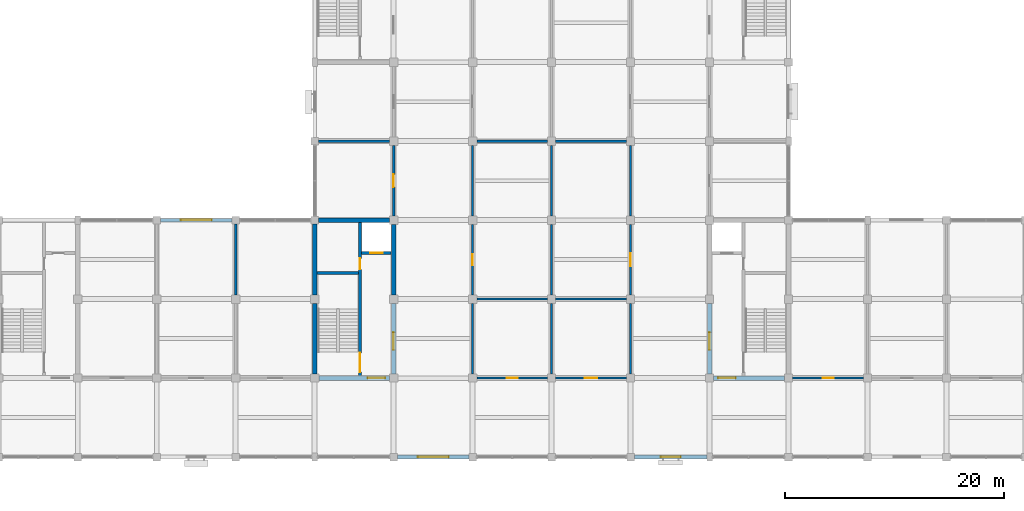
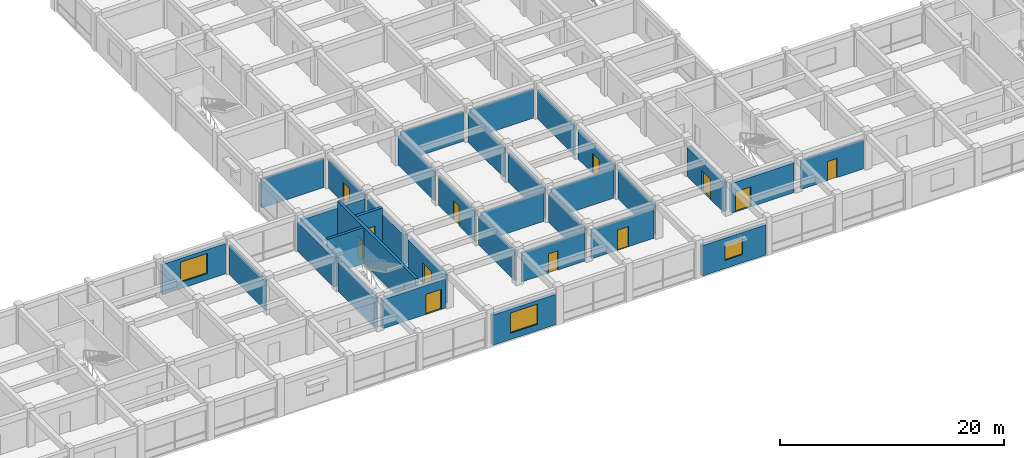
# One storey, part 20 of 31: 33 walls, 13 doors, 3 windows, 16 openings.
"""IFC4 building model written with IfcOpenShell, lengths in metres."""

from ifc_helpers import new_model, si_unit, direction, frame, frame_2d, origin, place, context, subcontext, project, spatial, rectangle, extrude, material, layer, layer_set, type_object, element, fill, save


model = new_model("IFC4")

# Units and contexts
model_context = context("Model", 3, precision=1e-05, world=origin(), true_north=direction((0.0, 1.0)))
body_context = subcontext(model_context, "Body", "Model", "MODEL_VIEW")
ifc_project = project(units=[si_unit("LENGTHUNIT", "METRE"), si_unit("AREAUNIT", "SQUARE_METRE"), si_unit("VOLUMEUNIT", "CUBIC_METRE"), si_unit("PLANEANGLEUNIT", "RADIAN"), si_unit("MASSUNIT", "GRAM", prefix="KILO")], contexts=[model_context])

# Site, building, storey
site_placement = place(None, origin())
site = spatial("IfcSite", under=ifc_project, at=site_placement, CompositionType="ELEMENT")
building_placement = place(site_placement, origin())
building = spatial("IfcBuilding", under=site, at=building_placement, Name="Cendaluz Park School", CompositionType="ELEMENT")
storey_placement = place(building_placement, frame((0.0, 0.0, 14.39990234375)))
storey = spatial("IfcBuildingStorey", under=building, at=storey_placement, Name="L03", CompositionType="ELEMENT", Elevation=14.39990234375)

# Wall
ifc_material_1 = material(Name="Gypsum Plasterboard on Cold-Formed Stud", Category="gypsum")
ifc_layer_1 = layer(ifc_material_1, 0.199951171875)
ifc_layer_set_1 = layer_set([ifc_layer_1], Name="Gypsum Plasterboard on Cold-Formed Stud")
wall_type_1 = type_object("IfcWallType", Name="W-AC20", PredefinedType="PARTITIONING", material=ifc_layer_set_1)
wall_1_placement = place(storey_placement, frame((57.60009765625, 21.97509765625, 0.0), z_axis=(0.0, 0.0, 1.0), x_axis=(0.0, 1.0, 0.0)))
element("IfcWall", 1, at=wall_1_placement, inside=storey, type_object=wall_type_1, Name="WL-FD-BM8", PredefinedType="PARTITIONING", context=body_context, shape_type="SweptSolid", body=[
    extrude(rectangle(XDim=6.474853515625, YDim=0.199951171875, at=frame_2d((3.2373046875, 0.0))), origin(), (0.0, 0.0, 1.0), 3.170166015625),
])

# Wall, opening, door
wall_2_placement = place(storey_placement, frame((108.375, 14.39990234375, 0.0), z_axis=(0.0, 0.0, 1.0), x_axis=(1.0, 0.0, 0.0)))
wall_2 = element("IfcWall", 2, at=wall_2_placement, inside=storey, type_object=wall_type_1, Name="WL-FD-BN0", PredefinedType="PARTITIONING", context=body_context, shape_type="SweptSolid", body=[
    extrude(rectangle(XDim=6.449951171875, YDim=0.199951171875, at=frame_2d((3.22509765625, 0.0))), origin(), (0.0, 0.0, 1.0), 3.170166015625),
])
opening_1_placement = place(wall_2_placement, frame((2.72509765625, 0.0, 0.0)))
opening_1 = element("IfcOpeningElement", 3, at=opening_1_placement, cuts=wall_2, Name="Opening DCL-01", PredefinedType="OPENING", context=body_context, shape_type="SweptSolid", body=[
    extrude(rectangle(XDim=1.0, YDim=2.10009765625, at=frame_2d((0.5, 1.050048828125))), frame((0.0, 0.112060546875, 0.0), z_axis=(0.0, -1.0, 0.0), x_axis=(1.0, 0.0, 0.0)), (0.0, 0.0, 1.0), 0.223876953125),
])
ifc_material_2 = material(Name="Solid Core Hardwood", Category="wood")
door_type_1 = type_object("IfcDoorType", Name="DCL-01", OperationType="NOTDEFINED", PredefinedType="DOOR", material=ifc_material_2)
door_1_placement = place(opening_1_placement, origin())
door_1 = element("IfcDoor", 4, at=door_1_placement, inside=storey, type_object=door_type_1, Name="D-L03-035", OperationType="SINGLE_SWING_LEFT", OverallHeight=2.10009765625, OverallWidth=1.0, PredefinedType="DOOR", context=body_context, shape_type="SweptSolid", body=[
    extrude(rectangle(XDim=1.0, YDim=2.10009765625, at=frame_2d((0.5, 1.050048828125))), frame((0.0, 0.02490234375, 0.0), z_axis=(0.0, -1.0, 0.0), x_axis=(1.0, 0.0, 0.0)), (0.0, 0.0, 1.0), 0.050048828125),
])
fill(opening_1, door_1)

# Wall
wall_3_placement = place(storey_placement, frame((65.14990234375, 36.0, 0.0), z_axis=(0.0, 0.0, 1.0), x_axis=(1.0, 0.0, 0.0)))
element("IfcWall", 5, at=wall_3_placement, inside=storey, type_object=wall_type_1, Name="WL-FD-BO4", PredefinedType="PARTITIONING", context=body_context, shape_type="SweptSolid", body=[
    extrude(rectangle(XDim=6.47509765625, YDim=0.199951171875, at=frame_2d((3.237548828125, 0.0))), origin(), (0.0, 0.0, 1.0), 3.170166015625),
])

# Wall, opening, door
wall_4_placement = place(storey_placement, frame((72.0, 29.175048828125, 0.0), z_axis=(0.0, 0.0, 1.0), x_axis=(0.0, 1.0, 0.0)))
wall_4 = element("IfcWall", 6, at=wall_4_placement, inside=storey, type_object=wall_type_1, Name="WL-FD-BO5", PredefinedType="PARTITIONING", context=body_context, shape_type="SweptSolid", body=[
    extrude(rectangle(XDim=6.449951171875, YDim=0.199951171875, at=frame_2d((3.22509765625, 0.0))), origin(), (0.0, 0.0, 1.0), 3.170166015625),
])
opening_2_placement = place(wall_4_placement, frame((2.64501953125, 0.0, 0.0)))
opening_2 = element("IfcOpeningElement", 7, at=opening_2_placement, cuts=wall_4, Name="Opening DCL-07", PredefinedType="OPENING", context=body_context, shape_type="SweptSolid", body=[
    extrude(rectangle(XDim=1.159912109375, YDim=2.219970703125, at=frame_2d((0.580078125, 1.10986328125))), frame((0.0, 0.112060546875, 0.0), z_axis=(0.0, -1.0, 0.0), x_axis=(1.0, 0.0, 0.0)), (0.0, 0.0, 1.0), 0.223876953125),
])
door_type_2 = type_object("IfcDoorType", Name="DCL-07", OperationType="NOTDEFINED", PredefinedType="DOOR", material=ifc_material_2)
door_2_placement = place(opening_2_placement, origin())
door_2 = element("IfcDoor", 8, at=door_2_placement, inside=storey, type_object=door_type_2, Name="D-L03-041", OperationType="SINGLE_SWING_LEFT", OverallHeight=2.219970703125, OverallWidth=1.159912109375, PredefinedType="DOOR", context=body_context, shape_type="SweptSolid", body=[
    extrude(rectangle(XDim=1.159912109375, YDim=2.219970703125, at=frame_2d((0.580078125, 1.10986328125))), frame((0.0, 0.02490234375, 0.0), z_axis=(0.0, -1.0, 0.0), x_axis=(1.0, 0.0, 0.0)), (0.0, 0.0, 1.0), 0.050048828125),
])
fill(opening_2, door_2)

wall_5_placement = place(storey_placement, frame((79.574951171875, 14.39990234375, 0.0), z_axis=(0.0, 0.0, 1.0), x_axis=(1.0, 0.0, 0.0)))
wall_5 = element("IfcWall", 9, at=wall_5_placement, inside=storey, type_object=wall_type_1, Name="WL-FD-BP0", PredefinedType="PARTITIONING", context=body_context, shape_type="SweptSolid", body=[
    extrude(rectangle(XDim=6.449951171875, YDim=0.199951171875, at=frame_2d((3.22509765625, 0.0))), origin(), (0.0, 0.0, 1.0), 3.170166015625),
])
opening_3_placement = place(wall_5_placement, frame((2.72509765625, 0.0, 0.0)))
opening_3 = element("IfcOpeningElement", 10, at=opening_3_placement, cuts=wall_5, Name="Opening DCL-01", PredefinedType="OPENING", context=body_context, shape_type="SweptSolid", body=[
    extrude(rectangle(XDim=1.0, YDim=2.10009765625, at=frame_2d((0.5, 1.050048828125))), frame((0.0, 0.112060546875, 0.0), z_axis=(0.0, -1.0, 0.0), x_axis=(1.0, 0.0, 0.0)), (0.0, 0.0, 1.0), 0.223876953125),
])
door_3_placement = place(opening_3_placement, origin())
door_3 = element("IfcDoor", 11, at=door_3_placement, inside=storey, type_object=door_type_1, Name="D-L03-045", OperationType="SINGLE_SWING_LEFT", OverallHeight=2.10009765625, OverallWidth=1.0, PredefinedType="DOOR", context=body_context, shape_type="SweptSolid", body=[
    extrude(rectangle(XDim=1.0, YDim=2.10009765625, at=frame_2d((0.5, 1.050048828125))), frame((0.0, 0.02490234375, 0.0), z_axis=(0.0, -1.0, 0.0), x_axis=(1.0, 0.0, 0.0)), (0.0, 0.0, 1.0), 0.050048828125),
])
fill(opening_3, door_3)

# Walls
wall_6_placement = place(storey_placement, frame((79.574951171875, 21.60009765625, 0.0), z_axis=(0.0, 0.0, 1.0), x_axis=(1.0, 0.0, 0.0)))
element("IfcWall", 12, at=wall_6_placement, inside=storey, type_object=wall_type_1, Name="WL-FD-BP1", PredefinedType="PARTITIONING", context=body_context, shape_type="SweptSolid", body=[
    extrude(rectangle(XDim=6.449951171875, YDim=0.199951171875, at=frame_2d((3.22509765625, 0.0))), origin(), (0.0, 0.0, 1.0), 3.170166015625),
])
for number, where, z_axis, x_axis, name in (
    (13, (79.199951171875, 14.77490234375, 0.0), (0.0, 0.0, 1.0), (0.0, 1.0, 0.0), "WL-FD-BP2"),
    (14, (86.39990234375, 14.77490234375, 0.0), (0.0, 0.0, 1.0), (0.0, 1.0, 0.0), "WL-FD-BP3"),
):
    element("IfcWall", number, at=place(storey_placement, frame(where, z_axis=z_axis, x_axis=x_axis)), inside=storey, type_object=wall_type_1, Name=name, PredefinedType="PARTITIONING", context=body_context, shape_type="SweptSolid", body=[
        extrude(rectangle(XDim=6.4501953125, YDim=0.199951171875, at=frame_2d((3.22509765625, 0.0))), origin(), (0.0, 0.0, 1.0), 3.170166015625),
    ])

# Wall, opening, door
wall_7_placement = place(storey_placement, frame((79.199951171875, 21.97509765625, 0.0), z_axis=(0.0, 0.0, 1.0), x_axis=(0.0, 1.0, 0.0)))
wall_7 = element("IfcWall", 15, at=wall_7_placement, inside=storey, type_object=wall_type_1, Name="WL-FD-BP4", PredefinedType="PARTITIONING", context=body_context, shape_type="SweptSolid", body=[
    extrude(rectangle(XDim=6.449951171875, YDim=0.199951171875, at=frame_2d((3.22509765625, 0.0))), origin(), (0.0, 0.0, 1.0), 3.170166015625),
])
opening_4_placement = place(wall_7_placement, frame((2.715087890625, 0.0, 0.0)))
opening_4 = element("IfcOpeningElement", 16, at=opening_4_placement, cuts=wall_7, Name="Opening DCL-02", PredefinedType="OPENING", context=body_context, shape_type="SweptSolid", body=[
    extrude(rectangle(XDim=1.02001953125, YDim=2.1201171875, at=frame_2d((0.510009765625, 1.06005859375))), frame((0.0, 0.112060546875, 0.0), z_axis=(0.0, -1.0, 0.0), x_axis=(1.0, 0.0, 0.0)), (0.0, 0.0, 1.0), 0.223876953125),
])
door_type_3 = type_object("IfcDoorType", Name="DCL-02", OperationType="NOTDEFINED", PredefinedType="DOOR", material=ifc_material_2)
door_4_placement = place(opening_4_placement, frame((1.02001953125, 0.0, 0.0), z_axis=(0.0, 0.0, 1.0), x_axis=(-1.0, 0.0, 0.0)))
door_4 = element("IfcDoor", 17, at=door_4_placement, inside=storey, type_object=door_type_3, Name="D-L03-046", OperationType="SINGLE_SWING_RIGHT", OverallHeight=2.1201171875, OverallWidth=1.02001953125, PredefinedType="DOOR", context=body_context, shape_type="SweptSolid", body=[
    extrude(rectangle(XDim=1.02001953125, YDim=2.1201171875, at=frame_2d((0.510009765625, 1.06005859375))), frame((0.0, 0.02490234375, 0.0), z_axis=(0.0, -1.0, 0.0), x_axis=(1.0, 0.0, 0.0)), (0.0, 0.0, 1.0), 0.050048828125),
])
fill(opening_4, door_4)

# Walls
wall_8_placement = place(storey_placement, frame((86.39990234375, 21.97509765625, 0.0), z_axis=(0.0, 0.0, 1.0), x_axis=(0.0, 1.0, 0.0)))
element("IfcWall", 18, at=wall_8_placement, inside=storey, type_object=wall_type_1, Name="WL-FD-BP5", PredefinedType="PARTITIONING", context=body_context, shape_type="SweptSolid", body=[
    extrude(rectangle(XDim=6.449951171875, YDim=0.199951171875, at=frame_2d((3.22509765625, 0.0))), origin(), (0.0, 0.0, 1.0), 3.170166015625),
])
wall_9_placement = place(storey_placement, frame((79.574951171875, 36.0, 0.0), z_axis=(0.0, 0.0, 1.0), x_axis=(1.0, 0.0, 0.0)))
element("IfcWall", 19, at=wall_9_placement, inside=storey, type_object=wall_type_1, Name="WL-FD-BP6", PredefinedType="PARTITIONING", context=body_context, shape_type="SweptSolid", body=[
    extrude(rectangle(XDim=6.449951171875, YDim=0.199951171875, at=frame_2d((3.22509765625, 0.0))), origin(), (0.0, 0.0, 1.0), 3.239990234375),
])
for number, where, z_axis, x_axis, name in (
    (20, (79.199951171875, 29.175048828125, 0.0), (0.0, 0.0, 1.0), (0.0, 1.0, 0.0), "WL-FD-BP7"),
    (21, (86.39990234375, 29.175048828125, 0.0), (0.0, 0.0, 1.0), (0.0, 1.0, 0.0), "WL-FD-BP8"),
):
    element("IfcWall", number, at=place(storey_placement, frame(where, z_axis=z_axis, x_axis=x_axis)), inside=storey, type_object=wall_type_1, Name=name, PredefinedType="PARTITIONING", context=body_context, shape_type="SweptSolid", body=[
        extrude(rectangle(XDim=6.449951171875, YDim=0.199951171875, at=frame_2d((3.22509765625, 0.0))), origin(), (0.0, 0.0, 1.0), 3.170166015625),
    ])

# Wall, opening, door
wall_10_placement = place(storey_placement, frame((86.77490234375, 14.39990234375, 0.0), z_axis=(0.0, 0.0, 1.0), x_axis=(1.0, 0.0, 0.0)))
wall_10 = element("IfcWall", 22, at=wall_10_placement, inside=storey, type_object=wall_type_1, Name="WL-FD-BR1", PredefinedType="PARTITIONING", context=body_context, shape_type="SweptSolid", body=[
    extrude(rectangle(XDim=6.4501953125, YDim=0.199951171875, at=frame_2d((3.22509765625, 0.0))), origin(), (0.0, 0.0, 1.0), 3.170166015625),
])
opening_5_placement = place(wall_10_placement, frame((2.6650390625, 0.0, 0.0)))
opening_5 = element("IfcOpeningElement", 23, at=opening_5_placement, cuts=wall_10, Name="Opening DCL-06", PredefinedType="OPENING", context=body_context, shape_type="SweptSolid", body=[
    extrude(rectangle(XDim=1.1201171875, YDim=2.199951171875, at=frame_2d((0.56005859375, 1.10009765625))), frame((0.0, 0.112060546875, 0.0), z_axis=(0.0, -1.0, 0.0), x_axis=(1.0, 0.0, 0.0)), (0.0, 0.0, 1.0), 0.223876953125),
])
door_type_4 = type_object("IfcDoorType", Name="DCL-06", OperationType="NOTDEFINED", PredefinedType="DOOR", material=ifc_material_2)
door_5_placement = place(opening_5_placement, origin())
door_5 = element("IfcDoor", 24, at=door_5_placement, inside=storey, type_object=door_type_4, Name="D-L03-050", OperationType="SINGLE_SWING_RIGHT", OverallHeight=2.199951171875, OverallWidth=1.1201171875, PredefinedType="DOOR", context=body_context, shape_type="SweptSolid", body=[
    extrude(rectangle(XDim=1.1201171875, YDim=2.199951171875, at=frame_2d((0.56005859375, 1.10009765625))), frame((0.0, 0.02490234375, 0.0), z_axis=(0.0, -1.0, 0.0), x_axis=(1.0, 0.0, 0.0)), (0.0, 0.0, 1.0), 0.050048828125),
])
fill(opening_5, door_5)

# Walls
for number, where, z_axis, x_axis, name in (
    (25, (86.77490234375, 21.60009765625, 0.0), (0.0, 0.0, 1.0), (1.0, 0.0, 0.0), "WL-FD-BR2"),
    (26, (93.60009765625, 14.77490234375, 0.0), (0.0, 0.0, 1.0), (0.0, 1.0, 0.0), "WL-FD-BR3"),
):
    element("IfcWall", number, at=place(storey_placement, frame(where, z_axis=z_axis, x_axis=x_axis)), inside=storey, type_object=wall_type_1, Name=name, PredefinedType="PARTITIONING", context=body_context, shape_type="SweptSolid", body=[
        extrude(rectangle(XDim=6.4501953125, YDim=0.199951171875, at=frame_2d((3.22509765625, 0.0))), origin(), (0.0, 0.0, 1.0), 3.170166015625),
    ])

# Wall, opening, door
wall_11_placement = place(storey_placement, frame((93.60009765625, 21.97509765625, 0.0), z_axis=(0.0, 0.0, 1.0), x_axis=(0.0, 1.0, 0.0)))
wall_11 = element("IfcWall", 27, at=wall_11_placement, inside=storey, type_object=wall_type_1, Name="WL-FD-BR4", PredefinedType="PARTITIONING", context=body_context, shape_type="SweptSolid", body=[
    extrude(rectangle(XDim=6.449951171875, YDim=0.199951171875, at=frame_2d((3.22509765625, 0.0))), origin(), (0.0, 0.0, 1.0), 3.170166015625),
])
opening_6_placement = place(wall_11_placement, frame((2.64501953125, 0.0, 0.0)))
opening_6 = element("IfcOpeningElement", 28, at=opening_6_placement, cuts=wall_11, Name="Opening DCL-07", PredefinedType="OPENING", context=body_context, shape_type="SweptSolid", body=[
    extrude(rectangle(XDim=1.159912109375, YDim=2.219970703125, at=frame_2d((0.580078125, 1.10986328125))), frame((0.0, 0.112060546875, 0.0), z_axis=(0.0, -1.0, 0.0), x_axis=(1.0, 0.0, 0.0)), (0.0, 0.0, 1.0), 0.223876953125),
])
door_6_placement = place(opening_6_placement, origin())
door_6 = element("IfcDoor", 29, at=door_6_placement, inside=storey, type_object=door_type_2, Name="D-L03-051", OperationType="SINGLE_SWING_LEFT", OverallHeight=2.219970703125, OverallWidth=1.159912109375, PredefinedType="DOOR", context=body_context, shape_type="SweptSolid", body=[
    extrude(rectangle(XDim=1.159912109375, YDim=2.219970703125, at=frame_2d((0.580078125, 1.10986328125))), frame((0.0, 0.02490234375, 0.0), z_axis=(0.0, -1.0, 0.0), x_axis=(1.0, 0.0, 0.0)), (0.0, 0.0, 1.0), 0.050048828125),
])
fill(opening_6, door_6)

# Walls
wall_12_placement = place(storey_placement, frame((86.77490234375, 36.0, 0.0), z_axis=(0.0, 0.0, 1.0), x_axis=(1.0, 0.0, 0.0)))
element("IfcWall", 30, at=wall_12_placement, inside=storey, type_object=wall_type_1, Name="WL-FD-BR5", PredefinedType="PARTITIONING", context=body_context, shape_type="SweptSolid", body=[
    extrude(rectangle(XDim=6.4501953125, YDim=0.199951171875, at=frame_2d((3.22509765625, 0.0))), origin(), (0.0, 0.0, 1.0), 3.170166015625),
])
wall_13_placement = place(storey_placement, frame((93.60009765625, 29.175048828125, 0.0), z_axis=(0.0, 0.0, 1.0), x_axis=(0.0, 1.0, 0.0)))
element("IfcWall", 31, at=wall_13_placement, inside=storey, type_object=wall_type_1, Name="WL-FD-BR6", PredefinedType="PARTITIONING", context=body_context, shape_type="SweptSolid", body=[
    extrude(rectangle(XDim=6.449951171875, YDim=0.199951171875, at=frame_2d((3.22509765625, 0.0))), origin(), (0.0, 0.0, 1.0), 3.170166015625),
])

# Wall, opening, window
ifc_material_3 = material(Name="Concrete C40/50 precast", Category="concrete")
ifc_layer_2 = layer(ifc_material_3, 0.340087890625)
ifc_layer_set_2 = layer_set([ifc_layer_2], Name="Concrete C40/50 precast")
wall_type_2 = type_object("IfcWallType", Name="W-EX34", PredefinedType="SOLIDWALL", material=ifc_layer_set_2)
wall_14_placement = place(storey_placement, frame((50.75, 28.800048828125, 0.0), z_axis=(0.0, 0.0, 1.0), x_axis=(1.0, 0.0, 0.0)))
wall_14 = element("IfcWall", 32, at=wall_14_placement, inside=storey, type_object=wall_type_2, Name="WL-FD-AA6", PredefinedType="SOLIDWALL", context=body_context, shape_type="SweptSolid", body=[
    extrude(rectangle(XDim=6.5, YDim=0.340087890625, at=frame_2d((3.25, 0.0))), origin(), (0.0, 0.0, 1.0), 3.31005859375),
])
opening_7_placement = place(wall_14_placement, frame((1.85009765625, 0.0, 0.699951171875)))
opening_7 = element("IfcOpeningElement", 33, at=opening_7_placement, cuts=wall_14, Name="Opening WN-24", PredefinedType="OPENING", context=body_context, shape_type="SweptSolid", body=[
    extrude(rectangle(XDim=2.800048828125, YDim=2.199951171875, at=frame_2d((1.39990234375, 1.10009765625))), frame((0.0, 0.18212890625, 0.0), z_axis=(0.0, -1.0, 0.0), x_axis=(1.0, 0.0, 0.0)), (0.0, 0.0, 1.0), 0.364013671875),
])
ifc_material_4 = material(Name="Tempered Low-E Double Glazing", Category="glass")
window_type_1 = type_object("IfcWindowType", Name="WN-24", PartitioningType="SINGLE_PANEL", PredefinedType="WINDOW", material=ifc_material_4)
window_1_placement = place(opening_7_placement, origin())
window_1 = element("IfcWindow", 34, at=window_1_placement, inside=storey, type_object=window_type_1, Name="WN-L03-006", OverallHeight=2.199951171875, OverallWidth=2.800048828125, PartitioningType="SINGLE_PANEL", PredefinedType="WINDOW", context=body_context, shape_type="SweptSolid", body=[
    extrude(rectangle(XDim=2.800048828125, YDim=2.199951171875, at=frame_2d((1.39990234375, 1.10009765625))), frame((0.0, 0.030029296875, 0.0), z_axis=(0.0, -1.0, 0.0), x_axis=(1.0, 0.0, 0.0)), (0.0, 0.0, 1.0), 0.06005859375),
])
fill(opening_7, window_1)

wall_15_placement = place(storey_placement, frame((72.35009765625, 7.199951171875, 0.0), z_axis=(0.0, 0.0, 1.0), x_axis=(1.0, 0.0, 0.0)))
wall_15 = element("IfcWall", 35, at=wall_15_placement, inside=storey, type_object=wall_type_2, Name="WL-FD-AA9", PredefinedType="SOLIDWALL", context=body_context, shape_type="SweptSolid", body=[
    extrude(rectangle(XDim=6.5, YDim=0.340087890625, at=frame_2d((3.25, 0.0))), origin(), (0.0, 0.0, 1.0), 3.31005859375),
])
opening_8_placement = place(wall_15_placement, frame((1.85009765625, 0.0, 0.699951171875)))
opening_8 = element("IfcOpeningElement", 36, at=opening_8_placement, cuts=wall_15, Name="Opening WN-24", PredefinedType="OPENING", context=body_context, shape_type="SweptSolid", body=[
    extrude(rectangle(XDim=2.800048828125, YDim=2.199951171875, at=frame_2d((1.39990234375, 1.10009765625))), frame((0.0, 0.18212890625, 0.0), z_axis=(0.0, -1.0, 0.0), x_axis=(1.0, 0.0, 0.0)), (0.0, 0.0, 1.0), 0.364013671875),
])
window_2_placement = place(opening_8_placement, origin())
window_2 = element("IfcWindow", 37, at=window_2_placement, inside=storey, type_object=window_type_1, Name="WN-L03-009", OverallHeight=2.199951171875, OverallWidth=2.800048828125, PartitioningType="SINGLE_PANEL", PredefinedType="WINDOW", context=body_context, shape_type="SweptSolid", body=[
    extrude(rectangle(XDim=2.800048828125, YDim=2.199951171875, at=frame_2d((1.39990234375, 1.10009765625))), frame((0.0, 0.030029296875, 0.0), z_axis=(0.0, -1.0, 0.0), x_axis=(1.0, 0.0, 0.0)), (0.0, 0.0, 1.0), 0.06005859375),
])
fill(opening_8, window_2)

wall_16_placement = place(storey_placement, frame((93.949951171875, 7.199951171875, 0.0), z_axis=(0.0, 0.0, 1.0), x_axis=(1.0, 0.0, 0.0)))
wall_16 = element("IfcWall", 38, at=wall_16_placement, inside=storey, type_object=wall_type_2, Name="WL-FD-AB1", PredefinedType="SOLIDWALL", context=body_context, shape_type="SweptSolid", body=[
    extrude(rectangle(XDim=6.60009765625, YDim=0.340087890625, at=frame_2d((3.300048828125, 0.0))), origin(), (0.0, 0.0, 1.0), 3.31005859375),
])
opening_9_placement = place(wall_16_placement, frame((2.39990234375, 0.0, 0.89990234375)))
opening_9 = element("IfcOpeningElement", 39, at=opening_9_placement, cuts=wall_16, Name="Opening WN-01", PredefinedType="OPENING", context=body_context, shape_type="SweptSolid", body=[
    extrude(rectangle(XDim=1.800048828125, YDim=1.800048828125, at=frame_2d((0.89990234375, 0.89990234375))), frame((0.0, 0.18212890625, 0.0), z_axis=(0.0, -1.0, 0.0), x_axis=(1.0, 0.0, 0.0)), (0.0, 0.0, 1.0), 0.364013671875),
])
window_type_2 = type_object("IfcWindowType", Name="WN-01", PartitioningType="SINGLE_PANEL", PredefinedType="WINDOW", material=ifc_material_4)
window_3_placement = place(opening_9_placement, origin())
window_3 = element("IfcWindow", 40, at=window_3_placement, inside=storey, type_object=window_type_2, Name="WN-L03-011", OverallHeight=1.800048828125, OverallWidth=1.800048828125, PartitioningType="SINGLE_PANEL", PredefinedType="WINDOW", context=body_context, shape_type="SweptSolid", body=[
    extrude(rectangle(XDim=1.800048828125, YDim=1.800048828125, at=frame_2d((0.89990234375, 0.89990234375))), frame((0.0, 0.030029296875, 0.0), z_axis=(0.0, -1.0, 0.0), x_axis=(1.0, 0.0, 0.0)), (0.0, 0.0, 1.0), 0.06005859375),
])
fill(opening_9, window_3)

# Wall, openings, doors
ifc_material_5 = material(Name="Concrete C40/50", Category="concrete")
ifc_layer_3 = layer(ifc_material_5, 0.280029296875)
ifc_layer_set_3 = layer_set([ifc_layer_3], Name="Concrete C40/50")
wall_type_3 = type_object("IfcWallType", Name="W-FW28", PredefinedType="SHEAR", material=ifc_layer_set_3)
wall_17_placement = place(storey_placement, frame((68.919921875, 14.60009765625, 0.0), z_axis=(0.0, 0.0, 1.0), x_axis=(0.0, 1.0, 0.0)))
wall_17 = element("IfcWall", 41, at=wall_17_placement, inside=storey, type_object=wall_type_3, Name="WL-FD-BG8", PredefinedType="SHEAR", context=body_context, shape_type="SweptSolid", body=[
    extrude(rectangle(XDim=14.0, YDim=0.280029296875, at=frame_2d((7.0, 0.0))), origin(), (0.0, 0.0, 1.0), 3.940185546875),
])
opening_10_placement = place(wall_17_placement, frame((0.35009765625, 0.0, 0.0)))
opening_10 = element("IfcOpeningElement", 42, at=opening_10_placement, cuts=wall_17, Name="Opening DST-03", PredefinedType="OPENING", context=body_context, shape_type="SweptSolid", body=[
    extrude(rectangle(XDim=1.75, YDim=2.14990234375, at=frame_2d((0.875, 1.074951171875))), frame((0.0, 0.152099609375, 0.0), z_axis=(0.0, -1.0, 0.0), x_axis=(1.0, 0.0, 0.0)), (0.0, 0.0, 1.0), 0.303955078125),
])
opening_11_placement = place(wall_17_placement, frame((9.719970703125, 0.0, 0.0)))
opening_11 = element("IfcOpeningElement", 43, at=opening_11_placement, cuts=wall_17, Name="Opening DFC-01", PredefinedType="OPENING", context=body_context, shape_type="SweptSolid", body=[
    extrude(rectangle(XDim=1.0, YDim=2.14990234375, at=frame_2d((0.5, 1.074951171875))), frame((0.0, 0.152099609375, 0.0), z_axis=(0.0, -1.0, 0.0), x_axis=(1.0, 0.0, 0.0)), (0.0, 0.0, 1.0), 0.303955078125),
])
door_type_5 = type_object("IfcDoorType", Name="DFC-01", OperationType="NOTDEFINED", PredefinedType="DOOR", material=ifc_material_2)
door_7_placement = place(opening_11_placement, origin())
door_7 = element("IfcDoor", 44, at=door_7_placement, inside=storey, type_object=door_type_5, Name="D-L03-006", OperationType="SINGLE_SWING_LEFT", OverallHeight=2.14990234375, OverallWidth=1.0, PredefinedType="DOOR", context=body_context, shape_type="SweptSolid", body=[
    extrude(rectangle(XDim=1.0, YDim=2.14990234375, at=frame_2d((0.5, 1.074951171875))), frame((0.0, 0.02490234375, 0.0), z_axis=(0.0, -1.0, 0.0), x_axis=(1.0, 0.0, 0.0)), (0.0, 0.0, 1.0), 0.050048828125),
])
fill(opening_11, door_7)
door_type_6 = type_object("IfcDoorType", Name="DST-03", OperationType="DOUBLE_DOOR_SINGLE_SWING", PredefinedType="DOOR", material=ifc_material_2)
door_8_placement = place(opening_10_placement, origin())
door_8 = element("IfcDoor", 45, at=door_8_placement, inside=storey, type_object=door_type_6, Name="D-L03-005", OperationType="DOUBLE_DOOR_SINGLE_SWING", OverallHeight=2.14990234375, OverallWidth=1.75, PredefinedType="DOOR", context=body_context, shape_type="SweptSolid", body=[
    extrude(rectangle(XDim=1.75, YDim=2.14990234375, at=frame_2d((0.875, 1.074951171875))), frame((0.0, 0.02490234375, 0.0), z_axis=(0.0, -1.0, 0.0), x_axis=(1.0, 0.0, 0.0)), (0.0, 0.0, 1.0), 0.050048828125),
])
fill(opening_10, door_8)

# Wall
wall_18_placement = place(storey_placement, frame((65.0, 23.97998046875, 0.0), z_axis=(0.0, 0.0, 1.0), x_axis=(1.0, 0.0, 0.0)))
element("IfcWall", 46, at=wall_18_placement, inside=storey, type_object=wall_type_3, Name="WL-FD-BG9", PredefinedType="SHEAR", context=body_context, shape_type="SweptSolid", body=[
    extrude(rectangle(XDim=3.780029296875, YDim=0.280029296875, at=frame_2d((1.89013671875, 0.0))), origin(), (0.0, 0.0, 1.0), 3.940185546875),
])

# Wall, opening, door
wall_19_placement = place(storey_placement, frame((69.080078125, 25.800048828125, 0.0), z_axis=(0.0, 0.0, 1.0), x_axis=(1.0, 0.0, 0.0)))
wall_19 = element("IfcWall", 47, at=wall_19_placement, inside=storey, type_object=wall_type_3, Name="WL-FD-BH0", PredefinedType="SHEAR", context=body_context, shape_type="SweptSolid", body=[
    extrude(rectangle(XDim=2.679931640625, YDim=0.280029296875, at=frame_2d((1.33984375, 0.0))), origin(), (0.0, 0.0, 1.0), 3.940185546875),
])
opening_12_placement = place(wall_19_placement, frame((0.764892578125, 0.0, 0.0)))
opening_12 = element("IfcOpeningElement", 48, at=opening_12_placement, cuts=wall_19, Name="Opening LD-01", PredefinedType="OPENING", context=body_context, shape_type="SweptSolid", body=[
    extrude(rectangle(XDim=1.14990234375, YDim=2.199951171875, at=frame_2d((0.574951171875, 1.10009765625))), frame((0.0, 0.152099609375, 0.0), z_axis=(0.0, -1.0, 0.0), x_axis=(1.0, 0.0, 0.0)), (0.0, 0.0, 1.0), 0.303955078125),
])
ifc_material_6 = material(Name="Stainless Steel 316L", Category="steel")
door_type_7 = type_object("IfcDoorType", Name="LD-01", OperationType="DOUBLE_DOOR_SLIDING", PredefinedType="DOOR", material=ifc_material_6)
door_9_placement = place(opening_12_placement, frame((1.14990234375, 0.0, 0.0), z_axis=(0.0, 0.0, 1.0), x_axis=(-1.0, 0.0, 0.0)))
door_9 = element("IfcDoor", 49, at=door_9_placement, inside=storey, type_object=door_type_7, Name="D-L03-007", OperationType="DOUBLE_DOOR_SLIDING", OverallHeight=2.199951171875, OverallWidth=1.14990234375, PredefinedType="DOOR", context=body_context, shape_type="SweptSolid", body=[
    extrude(rectangle(XDim=1.14990234375, YDim=2.199951171875, at=frame_2d((0.574951171875, 1.10009765625))), frame((0.0, 0.02490234375, 0.0), z_axis=(0.0, -1.0, 0.0), x_axis=(1.0, 0.0, 0.0)), (0.0, 0.0, 1.0), 0.050048828125),
])
fill(opening_12, door_9)

# Walls
ifc_layer_4 = layer(ifc_material_5, 0.39990234375)
ifc_layer_set_4 = layer_set([ifc_layer_4], Name="Concrete C40/50")
wall_type_4 = type_object("IfcWallType", Name="W-SH40", PredefinedType="SHEAR", material=ifc_layer_set_4)
wall_20_placement = place(storey_placement, frame((64.800048828125, 14.77490234375, 0.0), z_axis=(0.0, 0.0, 1.0), x_axis=(0.0, 1.0, 0.0)))
element("IfcWall", 50, at=wall_20_placement, inside=storey, type_object=wall_type_4, Name="WL-FD-BG2", PredefinedType="SHEAR", context=body_context, shape_type="SweptSolid", body=[
    extrude(rectangle(XDim=6.4501953125, YDim=0.39990234375, at=frame_2d((3.22509765625, 0.0))), origin(), (0.0, 0.0, 1.0), 3.170166015625),
])
wall_21_placement = place(storey_placement, frame((64.800048828125, 21.97509765625, 0.0), z_axis=(0.0, 0.0, 1.0), x_axis=(0.0, 1.0, 0.0)))
element("IfcWall", 51, at=wall_21_placement, inside=storey, type_object=wall_type_4, Name="WL-FD-BG3", PredefinedType="SHEAR", context=body_context, shape_type="SweptSolid", body=[
    extrude(rectangle(XDim=6.474853515625, YDim=0.39990234375, at=frame_2d((3.2373046875, 0.0))), origin(), (0.0, 0.0, 1.0), 3.170166015625),
])

# Wall, opening, door
wall_22_placement = place(storey_placement, frame((72.0, 14.77490234375, 0.0), z_axis=(0.0, 0.0, 1.0), x_axis=(0.0, 1.0, 0.0)))
wall_22 = element("IfcWall", 52, at=wall_22_placement, inside=storey, type_object=wall_type_4, Name="WL-FD-BG4", PredefinedType="SHEAR", context=body_context, shape_type="SweptSolid", body=[
    extrude(rectangle(XDim=6.4501953125, YDim=0.39990234375, at=frame_2d((3.22509765625, 0.0))), origin(), (0.0, 0.0, 1.0), 3.170166015625),
])
opening_13_placement = place(wall_22_placement, frame((2.199951171875, 0.0, 0.0)))
opening_13 = element("IfcOpeningElement", 53, at=opening_13_placement, cuts=wall_22, Name="Opening DLB-01", PredefinedType="OPENING", context=body_context, shape_type="SweptSolid", body=[
    extrude(rectangle(XDim=1.60009765625, YDim=2.199951171875, at=frame_2d((0.800048828125, 1.10009765625))), frame((0.0, 0.2119140625, 0.0), z_axis=(0.0, -1.0, 0.0), x_axis=(1.0, 0.0, 0.0)), (0.0, 0.0, 1.0), 0.423828125),
])
door_type_8 = type_object("IfcDoorType", Name="DLB-01", OperationType="DOUBLE_DOOR_SINGLE_SWING", PredefinedType="DOOR", material=ifc_material_2)
door_10_placement = place(opening_13_placement, origin())
door_10 = element("IfcDoor", 54, at=door_10_placement, inside=storey, type_object=door_type_8, Name="D-L03-003", OperationType="DOUBLE_DOOR_SINGLE_SWING", OverallHeight=2.199951171875, OverallWidth=1.60009765625, PredefinedType="DOOR", context=body_context, shape_type="SweptSolid", body=[
    extrude(rectangle(XDim=1.60009765625, YDim=2.199951171875, at=frame_2d((0.800048828125, 1.10009765625))), frame((0.0, 0.02490234375, 0.0), z_axis=(0.0, -1.0, 0.0), x_axis=(1.0, 0.0, 0.0)), (0.0, 0.0, 1.0), 0.050048828125),
])
fill(opening_13, door_10)

# Wall
wall_23_placement = place(storey_placement, frame((72.0, 21.97509765625, 0.0), z_axis=(0.0, 0.0, 1.0), x_axis=(0.0, 1.0, 0.0)))
element("IfcWall", 55, at=wall_23_placement, inside=storey, type_object=wall_type_4, Name="WL-FD-BG5", PredefinedType="SHEAR", context=body_context, shape_type="SweptSolid", body=[
    extrude(rectangle(XDim=6.449951171875, YDim=0.39990234375, at=frame_2d((3.22509765625, 0.0))), origin(), (0.0, 0.0, 1.0), 3.170166015625),
])

# Wall, opening, door
wall_24_placement = place(storey_placement, frame((65.175048828125, 14.39990234375, 0.0), z_axis=(0.0, 0.0, 1.0), x_axis=(1.0, 0.0, 0.0)))
wall_24 = element("IfcWall", 56, at=wall_24_placement, inside=storey, type_object=wall_type_4, Name="WL-FD-BG6", PredefinedType="SHEAR", context=body_context, shape_type="SweptSolid", body=[
    extrude(rectangle(XDim=6.449951171875, YDim=0.39990234375, at=frame_2d((3.22509765625, 0.0))), origin(), (0.0, 0.0, 1.0), 3.170166015625),
])
opening_14_placement = place(wall_24_placement, frame((4.445068359375, 0.0, 0.0)))
opening_14 = element("IfcOpeningElement", 57, at=opening_14_placement, cuts=wall_24, Name="Opening DLB-01", PredefinedType="OPENING", context=body_context, shape_type="SweptSolid", body=[
    extrude(rectangle(XDim=1.60009765625, YDim=2.199951171875, at=frame_2d((0.800048828125, 1.10009765625))), frame((0.0, 0.2119140625, 0.0), z_axis=(0.0, -1.0, 0.0), x_axis=(1.0, 0.0, 0.0)), (0.0, 0.0, 1.0), 0.423828125),
])
door_11_placement = place(opening_14_placement, origin())
door_11 = element("IfcDoor", 58, at=door_11_placement, inside=storey, type_object=door_type_8, Name="D-L03-004", OperationType="DOUBLE_DOOR_SINGLE_SWING", OverallHeight=2.199951171875, OverallWidth=1.60009765625, PredefinedType="DOOR", context=body_context, shape_type="SweptSolid", body=[
    extrude(rectangle(XDim=1.60009765625, YDim=2.199951171875, at=frame_2d((0.800048828125, 1.10009765625))), frame((0.0, 0.02490234375, 0.0), z_axis=(0.0, -1.0, 0.0), x_axis=(1.0, 0.0, 0.0)), (0.0, 0.0, 1.0), 0.050048828125),
])
fill(opening_14, door_11)

# Wall
wall_25_placement = place(storey_placement, frame((65.14990234375, 28.800048828125, 0.0), z_axis=(0.0, 0.0, 1.0), x_axis=(1.0, 0.0, 0.0)))
element("IfcWall", 59, at=wall_25_placement, inside=storey, type_object=wall_type_4, Name="WL-FD-BG7", PredefinedType="SHEAR", context=body_context, shape_type="SweptSolid", body=[
    extrude(rectangle(XDim=6.47509765625, YDim=0.39990234375, at=frame_2d((3.237548828125, 0.0))), origin(), (0.0, 0.0, 1.0), 3.170166015625),
])

# Wall, opening, door
wall_26_placement = place(storey_placement, frame((100.800048828125, 14.77490234375, 0.0), z_axis=(0.0, 0.0, 1.0), x_axis=(0.0, 1.0, 0.0)))
wall_26 = element("IfcWall", 60, at=wall_26_placement, inside=storey, type_object=wall_type_4, Name="WL-FD-BH1", PredefinedType="SHEAR", context=body_context, shape_type="SweptSolid", body=[
    extrude(rectangle(XDim=6.4501953125, YDim=0.39990234375, at=frame_2d((3.22509765625, 0.0))), origin(), (0.0, 0.0, 1.0), 3.170166015625),
])
opening_15_placement = place(wall_26_placement, frame((2.199951171875, 0.0, 0.0)))
opening_15 = element("IfcOpeningElement", 61, at=opening_15_placement, cuts=wall_26, Name="Opening DLB-01", PredefinedType="OPENING", context=body_context, shape_type="SweptSolid", body=[
    extrude(rectangle(XDim=1.60009765625, YDim=2.199951171875, at=frame_2d((0.800048828125, 1.10009765625))), frame((0.0, 0.2119140625, 0.0), z_axis=(0.0, -1.0, 0.0), x_axis=(1.0, 0.0, 0.0)), (0.0, 0.0, 1.0), 0.423828125),
])
door_12_placement = place(opening_15_placement, frame((1.60009765625, 0.0, 0.0), z_axis=(0.0, 0.0, 1.0), x_axis=(-1.0, 0.0, 0.0)))
door_12 = element("IfcDoor", 62, at=door_12_placement, inside=storey, type_object=door_type_8, Name="D-L03-008", OperationType="DOUBLE_DOOR_SINGLE_SWING", OverallHeight=2.199951171875, OverallWidth=1.60009765625, PredefinedType="DOOR", context=body_context, shape_type="SweptSolid", body=[
    extrude(rectangle(XDim=1.60009765625, YDim=2.199951171875, at=frame_2d((0.800048828125, 1.10009765625))), frame((0.0, 0.02490234375, 0.0), z_axis=(0.0, -1.0, 0.0), x_axis=(1.0, 0.0, 0.0)), (0.0, 0.0, 1.0), 0.050048828125),
])
fill(opening_15, door_12)

wall_27_placement = place(storey_placement, frame((101.175048828125, 14.39990234375, 0.0), z_axis=(0.0, 0.0, 1.0), x_axis=(1.0, 0.0, 0.0)))
wall_27 = element("IfcWall", 63, at=wall_27_placement, inside=storey, type_object=wall_type_4, Name="WL-FD-BH5", PredefinedType="SHEAR", context=body_context, shape_type="SweptSolid", body=[
    extrude(rectangle(XDim=6.449951171875, YDim=0.39990234375, at=frame_2d((3.22509765625, 0.0))), origin(), (0.0, 0.0, 1.0), 3.239990234375),
])
opening_16_placement = place(wall_27_placement, frame((0.405029296875, 0.0, 0.0)))
opening_16 = element("IfcOpeningElement", 64, at=opening_16_placement, cuts=wall_27, Name="Opening DLB-01", PredefinedType="OPENING", context=body_context, shape_type="SweptSolid", body=[
    extrude(rectangle(XDim=1.60009765625, YDim=2.199951171875, at=frame_2d((0.800048828125, 1.10009765625))), frame((0.0, 0.2119140625, 0.0), z_axis=(0.0, -1.0, 0.0), x_axis=(1.0, 0.0, 0.0)), (0.0, 0.0, 1.0), 0.423828125),
])
door_13_placement = place(opening_16_placement, origin())
door_13 = element("IfcDoor", 65, at=door_13_placement, inside=storey, type_object=door_type_8, Name="D-L03-009", OperationType="DOUBLE_DOOR_SINGLE_SWING", OverallHeight=2.199951171875, OverallWidth=1.60009765625, PredefinedType="DOOR", context=body_context, shape_type="SweptSolid", body=[
    extrude(rectangle(XDim=1.60009765625, YDim=2.199951171875, at=frame_2d((0.800048828125, 1.10009765625))), frame((0.0, 0.02490234375, 0.0), z_axis=(0.0, -1.0, 0.0), x_axis=(1.0, 0.0, 0.0)), (0.0, 0.0, 1.0), 0.050048828125),
])
fill(opening_16, door_13)

save(model, "model.ifc")
